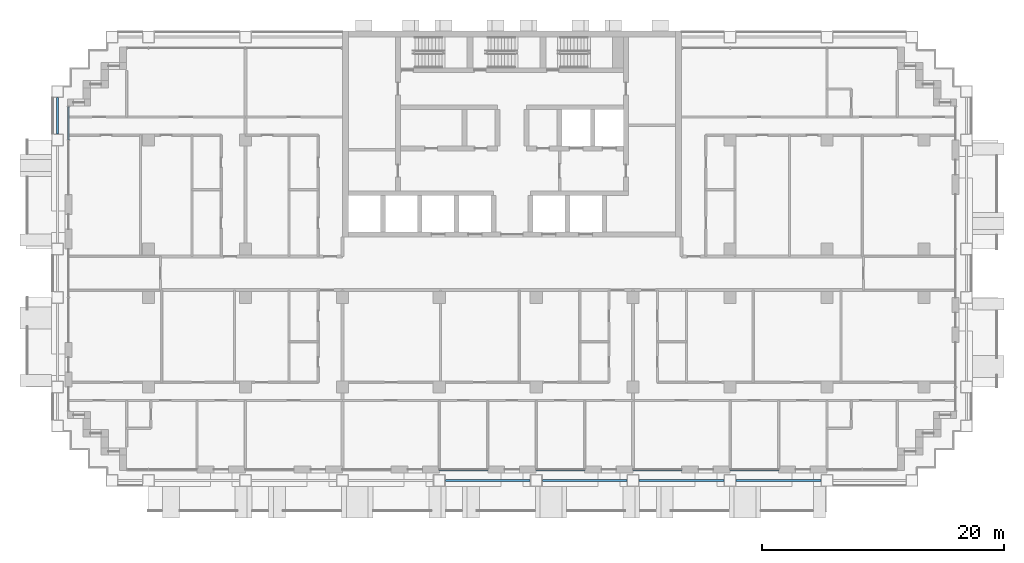
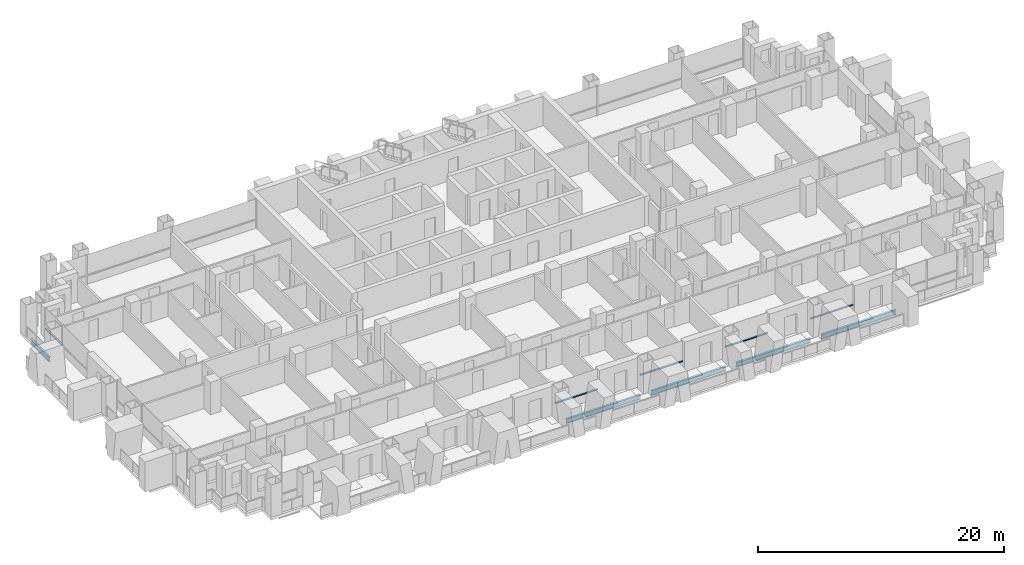
# One storey, part 3 of 18: 5 beams, 5 members, 5 elements without a shape of their own.
"""IFC4 building model written with IfcOpenShell, lengths in metres."""

from ifc_helpers import new_model, si_unit, direction, frame, origin, origin_2d, place, context, subcontext, project, spatial, rectangle, i_section, extrude, material, material_profile, profile_set, type_object, element, aggregate, save


model = new_model("IFC4")

# Units and contexts
model_context = context("Model", 3, precision=1e-05, world=origin(), true_north=direction((0.0, 1.0)))
body_context = subcontext(model_context, "Body", "Model", "MODEL_VIEW")
ifc_project = project(units=[si_unit("LENGTHUNIT", "METRE"), si_unit("AREAUNIT", "SQUARE_METRE"), si_unit("VOLUMEUNIT", "CUBIC_METRE"), si_unit("PLANEANGLEUNIT", "RADIAN"), si_unit("MASSUNIT", "GRAM", prefix="KILO")], contexts=[model_context])

# Site, building, storey
site_placement = place(None, origin())
site = spatial("IfcSite", under=ifc_project, at=site_placement, CompositionType="ELEMENT")
building_placement = place(site_placement, origin())
building = spatial("IfcBuilding", under=site, at=building_placement, Name="Vidyagriha Tower", CompositionType="ELEMENT")
storey_placement = place(building_placement, frame((0.0, 0.0, 51.199951171875)))
storey = spatial("IfcBuildingStorey", under=building, at=storey_placement, Name="L13", CompositionType="ELEMENT", Elevation=51.199951171875)

# Beams
ifc_material_1 = material(Name="Steel ASTM A992 Grade 50", Category="steel")
ifc_material_profile_1 = material_profile(ifc_material_1, i_section(OverallWidth=0.19189453125, OverallDepth=0.46240234375, WebThickness=0.010498046875, FlangeThickness=0.017578125, at=origin_2d()), Name="W18X60")
ifc_profile_set_1 = profile_set([ifc_material_profile_1], Name="Steel ASTM A992 Grade 50")
beam_type = type_object("IfcBeamType", Name="Edge beam W18X60", PredefinedType="SPANDREL", material=ifc_profile_set_1)
for number, where, z_axis, x_axis, name in (
    (1, (-5.5, -17.10009765625, -0.510986328125), (1.0, 0.0, 0.0), (0.0, 1.0, 0.0), "st-beam-L13-S05"),
    (2, (2.5, -17.10009765625, -0.510986328125), (1.0, 0.0, 0.0), (0.0, 1.0, 0.0), "st-beam-L13-S06"),
    (3, (10.5, -17.10009765625, -0.510986328125), (1.0, 0.0, 0.0), (0.0, 1.0, 0.0), "st-beam-L13-S07"),
    (4, (18.5, -17.10009765625, -0.510986328125), (1.0, 0.0, 0.0), (0.0, 1.0, 0.0), "st-beam-L13-S08"),
):
    element("IfcBeam", number, at=place(storey_placement, frame(where, z_axis=z_axis, x_axis=x_axis)), inside=storey, type_object=beam_type, Name=name, PredefinedType="SPANDREL", context=body_context, shape_type="SweptSolid", body=[
        extrude(i_section(OverallWidth=0.19189453125, OverallDepth=0.46240234375, WebThickness=0.010498046875, FlangeThickness=0.017578125, at=origin_2d()), origin(), (0.0, 0.0, 1.0), 7.0),
    ])
beam_placement = place(storey_placement, frame((-37.5, 11.5, -0.510986328125), z_axis=(0.0, 1.0, 0.0), x_axis=(-1.0, 0.0, 0.0)))
element("IfcBeam", 5, at=beam_placement, inside=storey, type_object=beam_type, Name="st-beam-L13-W14", PredefinedType="SPANDREL", context=body_context, shape_type="SweptSolid", body=[
    extrude(i_section(OverallWidth=0.19189453125, OverallDepth=0.46240234375, WebThickness=0.010498046875, FlangeThickness=0.017578125, at=origin_2d()), origin(), (0.0, 0.0, 1.0), 3.0),
])

# Curtain wall, member
ifc_material_2 = material(Name="Aluminium and glass curtain wall", Category="aluminium")
curtain_wall_type = type_object("IfcCurtainWallType", Name="Dwelling skin unitised curtain wall", PredefinedType="USERDEFINED", material=ifc_material_2)
curtain_wall_1_placement = place(storey_placement, origin())
curtain_wall_1 = element("IfcCurtainWall", 6, at=curtain_wall_1_placement, inside=storey, type_object=curtain_wall_type, Name="CW1 dwelling skin", ObjectType="UNITISED", PredefinedType="USERDEFINED")
ifc_material_3 = material(Name="Aluminium black anodised", Category="aluminium")
ifc_material_profile_2 = material_profile(ifc_material_3, rectangle(XDim=0.159912109375, YDim=0.10009765625, at=origin_2d()), Name="Transom 100x160 black aluminium")
ifc_profile_set_2 = profile_set([ifc_material_profile_2], Name="Aluminium black anodised")
member_type = type_object("IfcMemberType", Name="Transom 100x160 black aluminium", PredefinedType="USERDEFINED", material=ifc_profile_set_2)
member_1_placement = place(storey_placement, frame((-36.60009765625, 13.72998046875, 0.900146484375), z_axis=(0.0, -1.0, 0.0), x_axis=(1.0, 0.0, 0.0)))
member_1 = element("IfcMember", 7, at=member_1_placement, type_object=member_type, Name="CW1 transom 1.1", ObjectType="TRANSOM", PredefinedType="USERDEFINED", context=body_context, shape_type="SweptSolid", body=[
    extrude(rectangle(XDim=0.159912109375, YDim=0.10009765625, at=origin_2d()), origin(), (0.0, 0.0, 1.0), 2.695068359375),
])
aggregate(curtain_wall_1, [member_1])

curtain_wall_2_placement = place(storey_placement, origin())
curtain_wall_2 = element("IfcCurtainWall", 8, at=curtain_wall_2_placement, inside=storey, type_object=curtain_wall_type, Name="CW1 dwelling skin", ObjectType="UNITISED", PredefinedType="USERDEFINED")
member_2_placement = place(storey_placement, frame((-6.0, -16.199951171875, 0.900146484375), z_axis=(1.0, 0.0, 0.0), x_axis=(0.0, 1.0, 0.0)))
member_2 = element("IfcMember", 9, at=member_2_placement, type_object=member_type, Name="CW1 transom 1.1", ObjectType="TRANSOM", PredefinedType="USERDEFINED", context=body_context, shape_type="SweptSolid", body=[
    extrude(rectangle(XDim=0.159912109375, YDim=0.10009765625, at=origin_2d()), origin(), (0.0, 0.0, 1.0), 4.0),
])
aggregate(curtain_wall_2, [member_2])

curtain_wall_3_placement = place(storey_placement, origin())
curtain_wall_3 = element("IfcCurtainWall", 10, at=curtain_wall_3_placement, inside=storey, type_object=curtain_wall_type, Name="CW1 dwelling skin", ObjectType="UNITISED", PredefinedType="USERDEFINED")
member_3_placement = place(storey_placement, frame((2.0, -16.199951171875, 0.900146484375), z_axis=(1.0, 0.0, 0.0), x_axis=(0.0, 1.0, 0.0)))
member_3 = element("IfcMember", 11, at=member_3_placement, type_object=member_type, Name="CW1 transom 1.1", ObjectType="TRANSOM", PredefinedType="USERDEFINED", context=body_context, shape_type="SweptSolid", body=[
    extrude(rectangle(XDim=0.159912109375, YDim=0.10009765625, at=origin_2d()), origin(), (0.0, 0.0, 1.0), 4.0),
])
aggregate(curtain_wall_3, [member_3])

curtain_wall_4_placement = place(storey_placement, origin())
curtain_wall_4 = element("IfcCurtainWall", 12, at=curtain_wall_4_placement, inside=storey, type_object=curtain_wall_type, Name="CW1 dwelling skin", ObjectType="UNITISED", PredefinedType="USERDEFINED")
member_4_placement = place(storey_placement, frame((10.0, -16.199951171875, 0.900146484375), z_axis=(1.0, 0.0, 0.0), x_axis=(0.0, 1.0, 0.0)))
member_4 = element("IfcMember", 13, at=member_4_placement, type_object=member_type, Name="CW1 transom 1.1", ObjectType="TRANSOM", PredefinedType="USERDEFINED", context=body_context, shape_type="SweptSolid", body=[
    extrude(rectangle(XDim=0.159912109375, YDim=0.10009765625, at=origin_2d()), origin(), (0.0, 0.0, 1.0), 4.0),
])
aggregate(curtain_wall_4, [member_4])

curtain_wall_5_placement = place(storey_placement, origin())
curtain_wall_5 = element("IfcCurtainWall", 14, at=curtain_wall_5_placement, inside=storey, type_object=curtain_wall_type, Name="CW1 dwelling skin", ObjectType="UNITISED", PredefinedType="USERDEFINED")
member_5_placement = place(storey_placement, frame((18.0, -16.199951171875, 0.900146484375), z_axis=(1.0, 0.0, 0.0), x_axis=(0.0, 1.0, 0.0)))
member_5 = element("IfcMember", 15, at=member_5_placement, type_object=member_type, Name="CW1 transom 1.1", ObjectType="TRANSOM", PredefinedType="USERDEFINED", context=body_context, shape_type="SweptSolid", body=[
    extrude(rectangle(XDim=0.159912109375, YDim=0.10009765625, at=origin_2d()), origin(), (0.0, 0.0, 1.0), 4.0),
])
aggregate(curtain_wall_5, [member_5])

save(model, "model.ifc")
